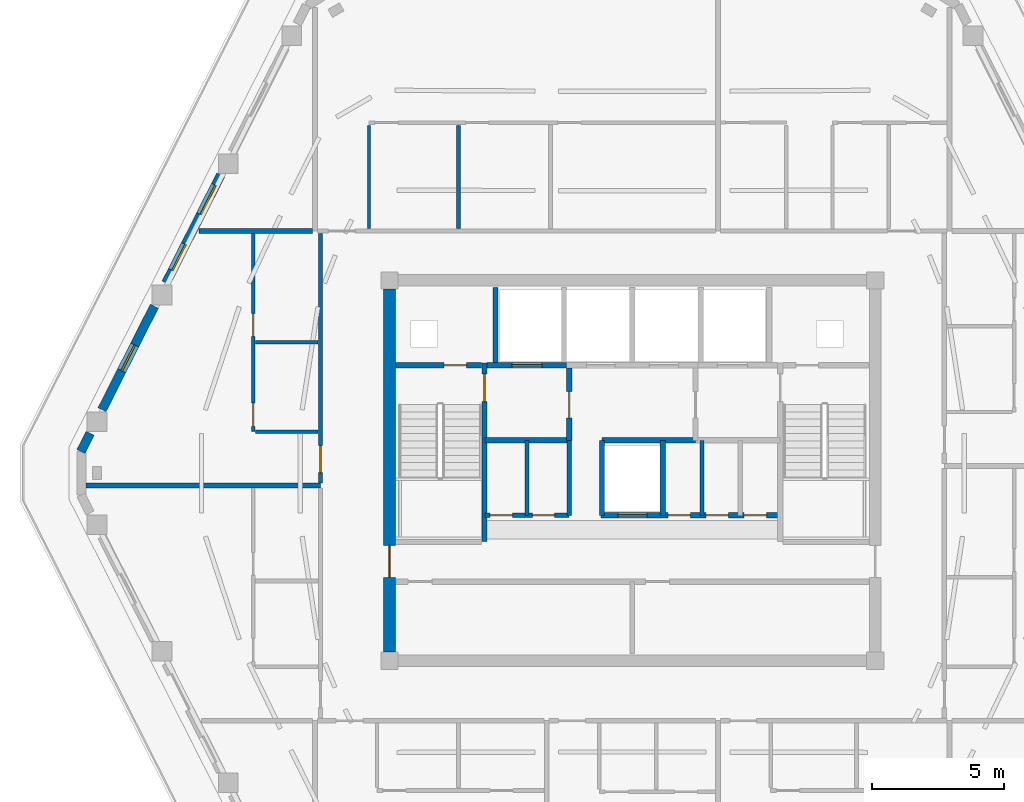
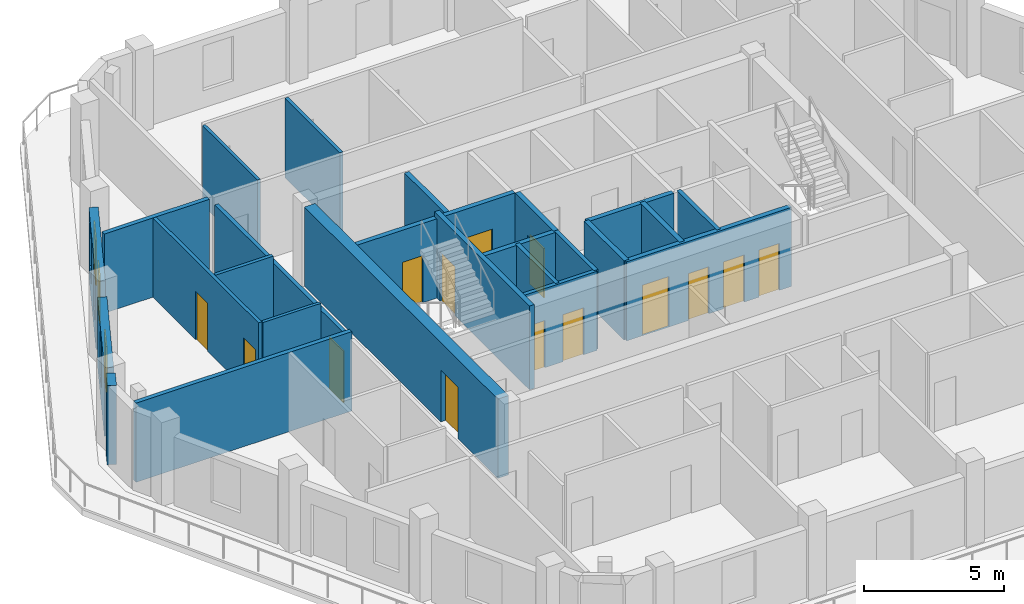
# One storey, part 4 of 10: 26 walls, 14 doors, 3 windows, 17 openings.
"""IFC4 building model written with IfcOpenShell, lengths in metres."""

from ifc_helpers import new_model, si_unit, direction, frame, frame_2d, origin, place, context, subcontext, project, spatial, rectangle, extrude, material, layer, layer_set, type_object, element, fill, save


model = new_model("IFC4")

# Units and contexts
model_context = context("Model", 3, precision=1e-05, world=origin(), true_north=direction((0.0, 1.0)))
body_context = subcontext(model_context, "Body", "Model", "MODEL_VIEW")
ifc_project = project(units=[si_unit("LENGTHUNIT", "METRE"), si_unit("AREAUNIT", "SQUARE_METRE"), si_unit("VOLUMEUNIT", "CUBIC_METRE"), si_unit("PLANEANGLEUNIT", "RADIAN"), si_unit("MASSUNIT", "GRAM", prefix="KILO")], contexts=[model_context])

# Site, building, storey
site_placement = place(None, origin())
site = spatial("IfcSite", under=ifc_project, at=site_placement, CompositionType="ELEMENT")
building_placement = place(site_placement, origin())
building = spatial("IfcBuilding", under=site, at=building_placement, Name="Cinnabar Lancet Tower", CompositionType="ELEMENT")
storey_placement = place(building_placement, frame((0.0, 0.0, 227.0)))
storey = spatial("IfcBuildingStorey", under=building, at=storey_placement, Name="L60", CompositionType="ELEMENT", Elevation=227.0)

# Wall, openings, doors
ifc_material_1 = material(Name="Acoustic twin-stud gypsum partition", Category="gypsum")
ifc_layer_1 = layer(ifc_material_1, 0.159912109375)
ifc_layer_set_1 = layer_set([ifc_layer_1], Name="Acoustic twin-stud gypsum partition")
wall_type_1 = type_object("IfcWallType", Name="ARC-WL-CORR-160", PredefinedType="PARTITIONING", material=ifc_layer_set_1)
wall_1_placement = place(storey_placement, frame((26.800048828125, 24.199951171875, 0.0), z_axis=(0.0, 0.0, 1.0), x_axis=(1.0, 0.0, 0.0)))
wall_1 = element("IfcWall", 1, at=wall_1_placement, inside=storey, type_object=wall_type_1, Name="CW-REC5S-L60", PredefinedType="PARTITIONING", context=body_context, shape_type="SweptSolid", body=[
    extrude(rectangle(XDim=3.199951171875, YDim=0.159912109375, at=frame_2d((1.60009765625, 0.0))), origin(), (0.0, 0.0, 1.0), 3.449951171875),
])
opening_1_placement = place(wall_1_placement, frame((0.199951171875, 0.0, 0.0)))
opening_1 = element("IfcOpeningElement", 2, at=opening_1_placement, cuts=wall_1, Name="Opening PD-02", PredefinedType="OPENING", context=body_context, shape_type="SweptSolid", body=[
    extrude(rectangle(XDim=0.85009765625, YDim=2.050048828125, at=frame_2d((0.425048828125, 1.02490234375))), frame((0.0, 0.08984375, 0.0), z_axis=(0.0, -1.0, 0.0), x_axis=(1.0, 0.0, 0.0)), (0.0, 0.0, 1.0), 0.179931640625),
])
opening_2_placement = place(wall_1_placement, frame((1.800048828125, 0.0, 0.0)))
opening_2 = element("IfcOpeningElement", 3, at=opening_2_placement, cuts=wall_1, Name="Opening PD-02", PredefinedType="OPENING", context=body_context, shape_type="SweptSolid", body=[
    extrude(rectangle(XDim=0.85009765625, YDim=2.050048828125, at=frame_2d((0.425048828125, 1.02490234375))), frame((0.0, 0.08984375, 0.0), z_axis=(0.0, -1.0, 0.0), x_axis=(1.0, 0.0, 0.0)), (0.0, 0.0, 1.0), 0.179931640625),
])
ifc_material_2 = material(Name="Fire-rated steel riser access door", Category="steel")
door_type_1 = type_object("IfcDoorType", Name="ARC-DR-RISER", OperationType="NOTDEFINED", PredefinedType="DOOR", material=ifc_material_2)
door_1_placement = place(opening_1_placement, origin())
door_1 = element("IfcDoor", 4, at=door_1_placement, inside=storey, type_object=door_type_1, Name="DR-L60-REC5A", OperationType="SINGLE_SWING_LEFT", OverallHeight=2.050048828125, OverallWidth=0.85009765625, PredefinedType="DOOR", context=body_context, shape_type="SweptSolid", body=[
    extrude(rectangle(XDim=0.85009765625, YDim=2.050048828125, at=frame_2d((0.425048828125, 1.02490234375))), frame((0.0, 0.02490234375, 0.0), z_axis=(0.0, -1.0, 0.0), x_axis=(1.0, 0.0, 0.0)), (0.0, 0.0, 1.0), 0.050048828125),
])
fill(opening_1, door_1)
door_2_placement = place(opening_2_placement, origin())
door_2 = element("IfcDoor", 5, at=door_2_placement, inside=storey, type_object=door_type_1, Name="DR-L60-REC5B", OperationType="SINGLE_SWING_RIGHT", OverallHeight=2.050048828125, OverallWidth=0.85009765625, PredefinedType="DOOR", context=body_context, shape_type="SweptSolid", body=[
    extrude(rectangle(XDim=0.85009765625, YDim=2.050048828125, at=frame_2d((0.425048828125, 1.02490234375))), frame((0.0, 0.02490234375, 0.0), z_axis=(0.0, -1.0, 0.0), x_axis=(1.0, 0.0, 0.0)), (0.0, 0.0, 1.0), 0.050048828125),
])
fill(opening_2, door_2)

# Walls
for number, where, z_axis, x_axis, name in (
    (6, (30.0, 24.199951171875, 0.0), (0.0, 0.0, 1.0), (0.0, 1.0, 0.0), "CW-REC5E-L60"),
    (7, (28.39990234375, 24.199951171875, 0.0), (0.0, 0.0, 1.0), (0.0, 1.0, 0.0), "CW-REC5D0-L60"),
    (8, (35.050048828125, 24.199951171875, 0.0), (0.0, 0.0, 1.0), (0.0, 1.0, 0.0), "CW-REC6D1-L60"),
):
    element("IfcWall", number, at=place(storey_placement, frame(where, z_axis=z_axis, x_axis=x_axis)), inside=storey, type_object=wall_type_1, Name=name, PredefinedType="PARTITIONING", context=body_context, shape_type="SweptSolid", body=[
        extrude(rectangle(XDim=2.85009765625, YDim=0.159912109375, at=frame_2d((1.425048828125, 0.0))), origin(), (0.0, 0.0, 1.0), 3.449951171875),
    ])

# Wall, opening, door
wall_2_placement = place(storey_placement, frame((20.550048828125, 25.423095703125, 0.0), z_axis=(0.0, 0.0, 1.0), x_axis=(0.0, 1.0, 0.0)))
wall_2 = element("IfcWall", 9, at=wall_2_placement, inside=storey, type_object=wall_type_1, Name="UW-L60-W02-COR", PredefinedType="PARTITIONING", context=body_context, shape_type="SweptSolid", body=[
    extrude(rectangle(XDim=9.48193359375, YDim=0.159912109375, at=frame_2d((4.740966796875, 0.0))), origin(), (0.0, 0.0, 1.0), 3.136962890625),
])
opening_3_placement = place(wall_2_placement, frame((0.39990234375, 0.0, 0.0)))
opening_3 = element("IfcOpeningElement", 10, at=opening_3_placement, cuts=wall_2, Name="Opening UD-01", PredefinedType="OPENING", context=body_context, shape_type="SweptSolid", body=[
    extrude(rectangle(XDim=1.02001953125, YDim=2.25, at=frame_2d((0.510009765625, 1.125))), frame((0.0, 0.08984375, 0.0), z_axis=(0.0, -1.0, 0.0), x_axis=(1.0, 0.0, 0.0)), (0.0, 0.0, 1.0), 0.179931640625),
])
ifc_material_3 = material(Name="Solid timber fire-rated apartment entrance door", Category="wood")
door_type_2 = type_object("IfcDoorType", Name="ARC-DR-UNIT", OperationType="NOTDEFINED", PredefinedType="DOOR", material=ifc_material_3)
door_3_placement = place(opening_3_placement, origin())
door_3 = element("IfcDoor", 11, at=door_3_placement, inside=storey, type_object=door_type_2, Name="DR-L60-W02-ENT", OperationType="SINGLE_SWING_LEFT", OverallHeight=2.25, OverallWidth=1.02001953125, PredefinedType="DOOR", context=body_context, shape_type="SweptSolid", body=[
    extrude(rectangle(XDim=1.02001953125, YDim=2.25, at=frame_2d((0.510009765625, 1.125))), frame((0.0, 0.02490234375, 0.0), z_axis=(0.0, -1.0, 0.0), x_axis=(1.0, 0.0, 0.0)), (0.0, 0.0, 1.0), 0.050048828125),
])
fill(opening_3, door_3)

# Walls
ifc_material_4 = material(Name="Fire-rated twin-frame acoustic drywall", Category="gypsum")
ifc_layer_2 = layer(ifc_material_4, 0.179931640625)
ifc_layer_set_2 = layer_set([ifc_layer_2], Name="Fire-rated twin-frame acoustic drywall")
wall_type_2 = type_object("IfcWallType", Name="ARC-WL-PARTY-180", PredefinedType="PARTITIONING", material=ifc_layer_set_2)
wall_3_placement = place(storey_placement, frame((15.93310546875, 35.0, 0.0), z_axis=(0.0, 0.0, 1.0), x_axis=(1.0, 0.0, 0.0)))
element("IfcWall", 12, at=wall_3_placement, inside=storey, type_object=wall_type_2, Name="PW-L60-WNB", PredefinedType="PARTITIONING", context=body_context, shape_type="SweptSolid", body=[
    extrude(rectangle(XDim=4.32177734375, YDim=0.179931640625, at=frame_2d((2.160888671875, 0.0))), origin(), (0.0, 0.0, 1.0), 3.449951171875),
])
wall_4_placement = place(storey_placement, frame((11.652099609375, 25.327880859375, 0.0), z_axis=(0.0, 0.0, 1.0), x_axis=(1.0, 0.0, 0.0)))
element("IfcWall", 13, at=wall_4_placement, inside=storey, type_object=wall_type_2, Name="PW-L60-WPTY-1", PredefinedType="PARTITIONING", context=body_context, shape_type="SweptSolid", body=[
    extrude(rectangle(XDim=8.89794921875, YDim=0.179931640625, at=frame_2d((4.448974609375, 0.0))), origin(), (0.0, 0.0, 1.0), 3.449951171875),
])

# Wall, opening, door
ifc_material_5 = material(Name="Autoclaved aerated concrete blockwork", Category="masonry")
ifc_layer_3 = layer(ifc_material_5, 0.199951171875)
ifc_layer_set_3 = layer_set([ifc_layer_3], Name="Autoclaved aerated concrete blockwork")
wall_type_3 = type_object("IfcWallType", Name="ARC-WL-SHAFT-200", PredefinedType="PLUMBINGWALL", material=ifc_layer_set_3)
wall_5_placement = place(storey_placement, frame((23.405029296875, 29.89990234375, 0.0), z_axis=(0.0, 0.0, 1.0), x_axis=(1.0, 0.0, 0.0)))
wall_5 = element("IfcWall", 14, at=wall_5_placement, inside=storey, type_object=wall_type_3, Name="CW-NSH-W-L60", PredefinedType="PLUMBINGWALL", context=body_context, shape_type="SweptSolid", body=[
    extrude(rectangle(XDim=3.27001953125, YDim=0.199951171875, at=frame_2d((1.635009765625, 0.0))), origin(), (0.0, 0.0, 1.0), 3.449951171875),
])
opening_4_placement = place(wall_5_placement, frame((1.85009765625, 0.0, 0.0)))
opening_4 = element("IfcOpeningElement", 15, at=opening_4_placement, cuts=wall_5, Name="Opening PD-02", PredefinedType="OPENING", context=body_context, shape_type="SweptSolid", body=[
    extrude(rectangle(XDim=0.85009765625, YDim=2.050048828125, at=frame_2d((0.425048828125, 1.02490234375))), frame((0.0, 0.10986328125, 0.0), z_axis=(0.0, -1.0, 0.0), x_axis=(1.0, 0.0, 0.0)), (0.0, 0.0, 1.0), 0.219970703125),
])
door_4_placement = place(opening_4_placement, origin())
door_4 = element("IfcDoor", 16, at=door_4_placement, inside=storey, type_object=door_type_1, Name="L60 West Riser Access Door", OperationType="SINGLE_SWING_LEFT", OverallHeight=2.050048828125, OverallWidth=0.85009765625, PredefinedType="DOOR", context=body_context, shape_type="SweptSolid", body=[
    extrude(rectangle(XDim=0.85009765625, YDim=2.050048828125, at=frame_2d((0.425048828125, 1.02490234375))), frame((0.0, 0.02490234375, 0.0), z_axis=(0.0, -1.0, 0.0), x_axis=(1.0, 0.0, 0.0)), (0.0, 0.0, 1.0), 0.050048828125),
])
fill(opening_4, door_4)

wall_6_placement = place(storey_placement, frame((26.885009765625, 29.89990234375, 0.0), z_axis=(0.0, 0.0, 1.0), x_axis=(1.0, 0.0, 0.0)))
wall_6 = element("IfcWall", 17, at=wall_6_placement, inside=storey, type_object=wall_type_3, Name="CW-FL1-L60", PredefinedType="PLUMBINGWALL", context=body_context, shape_type="SweptSolid", body=[
    extrude(rectangle(XDim=3.014892578125, YDim=0.199951171875, at=frame_2d((1.50732421875, 0.0))), origin(), (0.0, 0.0, 1.0), 3.449951171875),
])
opening_5_placement = place(wall_6_placement, frame((0.93994140625, 0.0, 0.0)))
opening_5 = element("IfcOpeningElement", 18, at=opening_5_placement, cuts=wall_6, Name="Opening LD-02", PredefinedType="OPENING", context=body_context, shape_type="SweptSolid", body=[
    extrude(rectangle(XDim=1.14990234375, YDim=2.199951171875, at=frame_2d((0.574951171875, 1.10009765625))), frame((0.0, 0.10986328125, 0.0), z_axis=(0.0, -1.0, 0.0), x_axis=(1.0, 0.0, 0.0)), (0.0, 0.0, 1.0), 0.219970703125),
])
ifc_material_6 = material(Name="Fire-rated stainless steel firefighting lift landing door", Category="steel")
door_type_3 = type_object("IfcDoorType", Name="ARC-DR-LD-FIRE", OperationType="NOTDEFINED", PredefinedType="DOOR", material=ifc_material_6)
door_5_placement = place(opening_5_placement, origin())
door_5 = element("IfcDoor", 19, at=door_5_placement, inside=storey, type_object=door_type_3, Name="L60 Firefighting Lift FL-1 Landing Door", OperationType="DOUBLE_DOOR_SLIDING", OverallHeight=2.199951171875, OverallWidth=1.14990234375, PredefinedType="DOOR", context=body_context, shape_type="SweptSolid", body=[
    extrude(rectangle(XDim=1.14990234375, YDim=2.199951171875, at=frame_2d((0.574951171875, 1.10009765625))), frame((0.0, 0.02490234375, 0.0), z_axis=(0.0, -1.0, 0.0), x_axis=(1.0, 0.0, 0.0)), (0.0, 0.0, 1.0), 0.050048828125),
])
fill(opening_5, door_5)

# Wall
wall_7_placement = place(storey_placement, frame((27.199951171875, 30.0, 0.0), z_axis=(0.0, 0.0, 1.0), x_axis=(0.0, 1.0, 0.0)))
element("IfcWall", 20, at=wall_7_placement, inside=storey, type_object=wall_type_3, Name="CW-NSH-D1-L60", PredefinedType="PLUMBINGWALL", context=body_context, shape_type="SweptSolid", body=[
    extrude(rectangle(XDim=2.85009765625, YDim=0.199951171875, at=frame_2d((1.425048828125, 0.0))), origin(), (0.0, 0.0, 1.0), 3.449951171875),
])

# Wall, opening, door
wall_8_placement = place(storey_placement, frame((30.0, 27.050048828125, 0.0), z_axis=(0.0, 0.0, 1.0), x_axis=(0.0, 1.0, 0.0)))
wall_8 = element("IfcWall", 21, at=wall_8_placement, inside=storey, type_object=wall_type_3, Name="CW-FF1E-L60", PredefinedType="PLUMBINGWALL", context=body_context, shape_type="SweptSolid", body=[
    extrude(rectangle(XDim=2.75, YDim=0.199951171875, at=frame_2d((1.375, 0.0))), origin(), (0.0, 0.0, 1.0), 3.449951171875),
])
opening_6_placement = place(wall_8_placement, frame((0.85009765625, 0.0, 0.0)))
opening_6 = element("IfcOpeningElement", 22, at=opening_6_placement, cuts=wall_8, Name="Opening FD-01", PredefinedType="OPENING", context=body_context, shape_type="SweptSolid", body=[
    extrude(rectangle(XDim=1.0, YDim=2.14990234375, at=frame_2d((0.5, 1.074951171875))), frame((0.0, 0.10986328125, 0.0), z_axis=(0.0, -1.0, 0.0), x_axis=(1.0, 0.0, 0.0)), (0.0, 0.0, 1.0), 0.219970703125),
])
ifc_material_7 = material(Name="Fire-rated timber-core lobby door", Category="wood")
door_type_4 = type_object("IfcDoorType", Name="ARC-DR-FFAL", OperationType="NOTDEFINED", PredefinedType="DOOR", material=ifc_material_7)
door_6_placement = place(opening_6_placement, origin())
door_6 = element("IfcDoor", 23, at=door_6_placement, inside=storey, type_object=door_type_4, Name="L60 FFAL-1 Lobby Fire Door", OperationType="SINGLE_SWING_RIGHT", OverallHeight=2.14990234375, OverallWidth=1.0, PredefinedType="DOOR", context=body_context, shape_type="SweptSolid", body=[
    extrude(rectangle(XDim=1.0, YDim=2.14990234375, at=frame_2d((0.5, 1.074951171875))), frame((0.0, 0.02490234375, 0.0), z_axis=(0.0, -1.0, 0.0), x_axis=(1.0, 0.0, 0.0)), (0.0, 0.0, 1.0), 0.050048828125),
])
fill(opening_6, door_6)

# Wall
wall_9_placement = place(storey_placement, frame((26.800048828125, 27.050048828125, 0.0), z_axis=(0.0, 0.0, 1.0), x_axis=(1.0, 0.0, 0.0)))
element("IfcWall", 24, at=wall_9_placement, inside=storey, type_object=wall_type_3, Name="CW-FF1S-L60", PredefinedType="PLUMBINGWALL", context=body_context, shape_type="SweptSolid", body=[
    extrude(rectangle(XDim=3.199951171875, YDim=0.199951171875, at=frame_2d((1.60009765625, 0.0))), origin(), (0.0, 0.0, 1.0), 3.449951171875),
])

# Wall, openings, doors
wall_10_placement = place(storey_placement, frame((31.199951171875, 24.199951171875, 0.0), z_axis=(0.0, 0.0, 1.0), x_axis=(1.0, 0.0, 0.0)))
wall_10 = element("IfcWall", 25, at=wall_10_placement, inside=storey, type_object=wall_type_3, Name="CW-PL96S-L60", PredefinedType="PLUMBINGWALL", context=body_context, shape_type="SweptSolid", body=[
    extrude(rectangle(XDim=6.800048828125, YDim=0.199951171875, at=frame_2d((3.39990234375, 0.0))), origin(), (0.0, 0.0, 1.0), 3.449951171875),
])
opening_7_placement = place(wall_10_placement, frame((0.64990234375, 0.0, 0.0)))
opening_7 = element("IfcOpeningElement", 26, at=opening_7_placement, cuts=wall_10, Name="Opening LD-01", PredefinedType="OPENING", context=body_context, shape_type="SweptSolid", body=[
    extrude(rectangle(XDim=1.10009765625, YDim=2.199951171875, at=frame_2d((0.550048828125, 1.10009765625))), frame((0.0, 0.10986328125, 0.0), z_axis=(0.0, -1.0, 0.0), x_axis=(1.0, 0.0, 0.0)), (0.0, 0.0, 1.0), 0.219970703125),
])
opening_8_placement = place(wall_10_placement, frame((2.550048828125, 0.0, 0.0)))
opening_8 = element("IfcOpeningElement", 27, at=opening_8_placement, cuts=wall_10, Name="Opening PD-02", PredefinedType="OPENING", context=body_context, shape_type="SweptSolid", body=[
    extrude(rectangle(XDim=0.85009765625, YDim=2.050048828125, at=frame_2d((0.425048828125, 1.02490234375))), frame((0.0, 0.10986328125, 0.0), z_axis=(0.0, -1.0, 0.0), x_axis=(1.0, 0.0, 0.0)), (0.0, 0.0, 1.0), 0.219970703125),
])
opening_9_placement = place(wall_10_placement, frame((4.0, 0.0, 0.0)))
opening_9 = element("IfcOpeningElement", 28, at=opening_9_placement, cuts=wall_10, Name="Opening PD-02", PredefinedType="OPENING", context=body_context, shape_type="SweptSolid", body=[
    extrude(rectangle(XDim=0.85009765625, YDim=2.050048828125, at=frame_2d((0.425048828125, 1.02490234375))), frame((0.0, 0.10986328125, 0.0), z_axis=(0.0, -1.0, 0.0), x_axis=(1.0, 0.0, 0.0)), (0.0, 0.0, 1.0), 0.219970703125),
])
opening_10_placement = place(wall_10_placement, frame((5.449951171875, 0.0, 0.0)))
opening_10 = element("IfcOpeningElement", 29, at=opening_10_placement, cuts=wall_10, Name="Opening PD-02", PredefinedType="OPENING", context=body_context, shape_type="SweptSolid", body=[
    extrude(rectangle(XDim=0.85009765625, YDim=2.050048828125, at=frame_2d((0.425048828125, 1.02490234375))), frame((0.0, 0.10986328125, 0.0), z_axis=(0.0, -1.0, 0.0), x_axis=(1.0, 0.0, 0.0)), (0.0, 0.0, 1.0), 0.219970703125),
])
ifc_material_8 = material(Name="Brushed stainless steel sliding lift door", Category="steel")
door_type_5 = type_object("IfcDoorType", Name="ARC-DR-LD-PASS", OperationType="NOTDEFINED", PredefinedType="DOOR", material=ifc_material_8)
door_7_placement = place(opening_7_placement, origin())
door_7 = element("IfcDoor", 30, at=door_7_placement, inside=storey, type_object=door_type_5, Name="L60 Lift PL-9 Landing Door", OperationType="DOUBLE_DOOR_SLIDING", OverallHeight=2.199951171875, OverallWidth=1.10009765625, PredefinedType="DOOR", context=body_context, shape_type="SweptSolid", body=[
    extrude(rectangle(XDim=1.10009765625, YDim=2.199951171875, at=frame_2d((0.550048828125, 1.10009765625))), frame((0.0, 0.02490234375, 0.0), z_axis=(0.0, -1.0, 0.0), x_axis=(1.0, 0.0, 0.0)), (0.0, 0.0, 1.0), 0.050048828125),
])
fill(opening_7, door_7)
door_8_placement = place(opening_8_placement, origin())
door_8 = element("IfcDoor", 31, at=door_8_placement, inside=storey, type_object=door_type_1, Name="DR-L60-REC6A", OperationType="SINGLE_SWING_LEFT", OverallHeight=2.050048828125, OverallWidth=0.85009765625, PredefinedType="DOOR", context=body_context, shape_type="SweptSolid", body=[
    extrude(rectangle(XDim=0.85009765625, YDim=2.050048828125, at=frame_2d((0.425048828125, 1.02490234375))), frame((0.0, 0.02490234375, 0.0), z_axis=(0.0, -1.0, 0.0), x_axis=(1.0, 0.0, 0.0)), (0.0, 0.0, 1.0), 0.050048828125),
])
fill(opening_8, door_8)
door_9_placement = place(opening_9_placement, origin())
door_9 = element("IfcDoor", 32, at=door_9_placement, inside=storey, type_object=door_type_1, Name="DR-L60-REC6B", OperationType="SINGLE_SWING_RIGHT", OverallHeight=2.050048828125, OverallWidth=0.85009765625, PredefinedType="DOOR", context=body_context, shape_type="SweptSolid", body=[
    extrude(rectangle(XDim=0.85009765625, YDim=2.050048828125, at=frame_2d((0.425048828125, 1.02490234375))), frame((0.0, 0.02490234375, 0.0), z_axis=(0.0, -1.0, 0.0), x_axis=(1.0, 0.0, 0.0)), (0.0, 0.0, 1.0), 0.050048828125),
])
fill(opening_9, door_9)
door_10_placement = place(opening_10_placement, origin())
door_10 = element("IfcDoor", 33, at=door_10_placement, inside=storey, type_object=door_type_1, Name="DR-L60-REC6C", OperationType="SINGLE_SWING_LEFT", OverallHeight=2.050048828125, OverallWidth=0.85009765625, PredefinedType="DOOR", context=body_context, shape_type="SweptSolid", body=[
    extrude(rectangle(XDim=0.85009765625, YDim=2.050048828125, at=frame_2d((0.425048828125, 1.02490234375))), frame((0.0, 0.02490234375, 0.0), z_axis=(0.0, -1.0, 0.0), x_axis=(1.0, 0.0, 0.0)), (0.0, 0.0, 1.0), 0.050048828125),
])
fill(opening_10, door_10)

# Walls
for number, where, z_axis, x_axis, name in (
    (34, (31.25, 24.199951171875, 0.0), (0.0, 0.0, 1.0), (0.0, 1.0, 0.0), "CW-PL9W-L60"),
    (35, (33.550048828125, 24.199951171875, 0.0), (0.0, 0.0, 1.0), (0.0, 1.0, 0.0), "CW-PL9E-L60"),
):
    element("IfcWall", number, at=place(storey_placement, frame(where, z_axis=z_axis, x_axis=x_axis)), inside=storey, type_object=wall_type_3, Name=name, PredefinedType="PLUMBINGWALL", context=body_context, shape_type="SweptSolid", body=[
        extrude(rectangle(XDim=2.85009765625, YDim=0.199951171875, at=frame_2d((1.425048828125, 0.0))), origin(), (0.0, 0.0, 1.0), 3.449951171875),
    ])
wall_11_placement = place(storey_placement, frame((31.25, 27.050048828125, 0.0), z_axis=(0.0, 0.0, 1.0), x_axis=(1.0, 0.0, 0.0)))
element("IfcWall", 36, at=wall_11_placement, inside=storey, type_object=wall_type_3, Name="CW-PL96N-L60", PredefinedType="PLUMBINGWALL", context=body_context, shape_type="SweptSolid", body=[
    extrude(rectangle(XDim=3.550048828125, YDim=0.199951171875, at=frame_2d((1.77490234375, 0.0))), origin(), (0.0, 0.0, 1.0), 3.449951171875),
])
ifc_material_9 = material(Name="Gypsum plasterboard stud partition", Category="gypsum")
ifc_layer_4 = layer(ifc_material_9, 0.125)
ifc_layer_set_4 = layer_set([ifc_layer_4], Name="Gypsum plasterboard stud partition")
wall_type_4 = type_object("IfcWallType", Name="ARC-WL-UNIT-125", PredefinedType="PARTITIONING", material=ifc_layer_set_4)
wall_12_placement = place(storey_placement, frame((22.39990234375, 35.0849609375, 0.0), z_axis=(0.0, 0.0, 1.0), x_axis=(0.0, 1.0, 0.0)))
element("IfcWall", 37, at=wall_12_placement, inside=storey, type_object=wall_type_4, Name="UW-L60-N01-FOYE", PredefinedType="PARTITIONING", context=body_context, shape_type="SweptSolid", body=[
    extrude(rectangle(XDim=3.925048828125, YDim=0.125, at=frame_2d((1.96240234375, 0.0))), origin(), (0.0, 0.0, 1.0), 3.449951171875),
])
wall_13_placement = place(storey_placement, frame((18.0849609375, 27.3779296875, 0.0), z_axis=(0.0, 0.0, 1.0), x_axis=(1.0, 0.0, 0.0)))
element("IfcWall", 38, at=wall_13_placement, inside=storey, type_object=wall_type_4, Name="UW-L60-W02-FOYN", PredefinedType="PARTITIONING", context=body_context, shape_type="SweptSolid", body=[
    extrude(rectangle(XDim=2.380126953125, YDim=0.125, at=frame_2d((1.18994140625, 0.0))), origin(), (0.0, 0.0, 1.0), 3.449951171875),
])
ifc_material_10 = material(Name="Moisture-resistant cement-board plumbing wall", Category="masonry")
ifc_layer_5 = layer(ifc_material_10, 0.139892578125)
ifc_layer_set_5 = layer_set([ifc_layer_5], Name="Moisture-resistant cement-board plumbing wall")
wall_type_5 = type_object("IfcWallType", Name="ARC-WL-WET-140", PredefinedType="PLUMBINGWALL", material=ifc_layer_set_5)
wall_14_placement = place(storey_placement, frame((25.800048828125, 35.0849609375, 0.0), z_axis=(0.0, 0.0, 1.0), x_axis=(0.0, 1.0, 0.0)))
element("IfcWall", 39, at=wall_14_placement, inside=storey, type_object=wall_type_5, Name="UW-L60-N01-KDV", PredefinedType="PLUMBINGWALL", context=body_context, shape_type="SweptSolid", body=[
    extrude(rectangle(XDim=3.925048828125, YDim=0.139892578125, at=frame_2d((1.96240234375, 0.0))), origin(), (0.0, 0.0, 1.0), 3.449951171875),
])

# Wall, openings, doors
wall_15_placement = place(storey_placement, frame((18.0, 27.3779296875, 0.0), z_axis=(0.0, 0.0, 1.0), x_axis=(0.0, 1.0, 0.0)))
wall_15 = element("IfcWall", 40, at=wall_15_placement, inside=storey, type_object=wall_type_5, Name="UW-L60-W02-SPL", PredefinedType="PLUMBINGWALL", context=body_context, shape_type="SweptSolid", body=[
    extrude(rectangle(XDim=7.527099609375, YDim=0.139892578125, at=frame_2d((3.763671875, 0.0))), origin(), (0.0, 0.0, 1.0), 3.449951171875),
])
opening_11_placement = place(wall_15_placement, frame((3.6201171875, 0.0, 0.0)))
opening_11 = element("IfcOpeningElement", 41, at=opening_11_placement, cuts=wall_15, Name="Opening BD-01", PredefinedType="OPENING", context=body_context, shape_type="SweptSolid", body=[
    extrude(rectangle(XDim=0.860107421875, YDim=2.10009765625, at=frame_2d((0.43017578125, 1.050048828125))), frame((0.0, 0.079833984375, 0.0), z_axis=(0.0, -1.0, 0.0), x_axis=(1.0, 0.0, 0.0)), (0.0, 0.0, 1.0), 0.159912109375),
])
opening_12_placement = place(wall_15_placement, frame((0.199951171875, 0.0, 0.0)))
opening_12 = element("IfcOpeningElement", 42, at=opening_12_placement, cuts=wall_15, Name="Opening RD-02", PredefinedType="OPENING", context=body_context, shape_type="SweptSolid", body=[
    extrude(rectangle(XDim=0.8798828125, YDim=2.14990234375, at=frame_2d((0.43994140625, 1.074951171875))), frame((0.0, 0.079833984375, 0.0), z_axis=(0.0, -1.0, 0.0), x_axis=(1.0, 0.0, 0.0)), (0.0, 0.0, 1.0), 0.159912109375),
])
ifc_material_11 = material(Name="Moisture-resistant timber bathroom door", Category="wood")
door_type_6 = type_object("IfcDoorType", Name="ARC-DR-BATH", OperationType="NOTDEFINED", PredefinedType="DOOR", material=ifc_material_11)
door_11_placement = place(opening_11_placement, origin())
door_11 = element("IfcDoor", 43, at=door_11_placement, inside=storey, type_object=door_type_6, Name="DR-L60-W02-BTH", OperationType="SINGLE_SWING_LEFT", OverallHeight=2.10009765625, OverallWidth=0.860107421875, PredefinedType="DOOR", context=body_context, shape_type="SweptSolid", body=[
    extrude(rectangle(XDim=0.860107421875, YDim=2.10009765625, at=frame_2d((0.43017578125, 1.050048828125))), frame((0.0, 0.02490234375, 0.0), z_axis=(0.0, -1.0, 0.0), x_axis=(1.0, 0.0, 0.0)), (0.0, 0.0, 1.0), 0.050048828125),
])
fill(opening_11, door_11)
ifc_material_12 = material(Name="Engineered timber study door", Category="wood")
door_type_7 = type_object("IfcDoorType", Name="ARC-DR-STUDY", OperationType="NOTDEFINED", PredefinedType="DOOR", material=ifc_material_12)
door_12_placement = place(opening_12_placement, origin())
door_12 = element("IfcDoor", 44, at=door_12_placement, inside=storey, type_object=door_type_7, Name="DR-L60-W02-KIT", OperationType="SINGLE_SWING_RIGHT", OverallHeight=2.14990234375, OverallWidth=0.8798828125, PredefinedType="DOOR", context=body_context, shape_type="SweptSolid", body=[
    extrude(rectangle(XDim=0.8798828125, YDim=2.14990234375, at=frame_2d((0.43994140625, 1.074951171875))), frame((0.0, 0.02490234375, 0.0), z_axis=(0.0, -1.0, 0.0), x_axis=(1.0, 0.0, 0.0)), (0.0, 0.0, 1.0), 0.050048828125),
])
fill(opening_12, door_12)

# Wall
wall_16_placement = place(storey_placement, frame((18.0849609375, 30.778076171875, 0.0), z_axis=(0.0, 0.0, 1.0), x_axis=(1.0, 0.0, 0.0)))
element("IfcWall", 45, at=wall_16_placement, inside=storey, type_object=wall_type_5, Name="UW-L60-W02-KDV", PredefinedType="PLUMBINGWALL", context=body_context, shape_type="SweptSolid", body=[
    extrude(rectangle(XDim=2.380126953125, YDim=0.139892578125, at=frame_2d((1.18994140625, 0.0))), origin(), (0.0, 0.0, 1.0), 3.449951171875),
])

# Wall, openings, windows
ifc_material_13 = material(Name="Cinnabar red clay brick", Category="masonry")
ifc_layer_6 = layer(ifc_material_13, 0.340087890625)
ifc_layer_set_6 = layer_set([ifc_layer_6], Name="Cinnabar red clay brick")
wall_type_6 = type_object("IfcWallType", Name="ENV-WL-BRK-RED-340", PredefinedType="STANDARD", material=ifc_layer_set_6)
wall_17_placement = place(storey_placement, frame((16.76806640625, 37.126953125, 0.0), z_axis=(0.0, 0.0, 1.0), x_axis=(-0.451581819983, -0.892229712496, 0.0)))
wall_17 = element("IfcWall", 46, at=wall_17_placement, inside=storey, type_object=wall_type_6, Name="L60 Face 5 Masonry Bay Wall 3", PredefinedType="STANDARD", context=body_context, shape_type="SweptSolid", body=[
    extrude(rectangle(XDim=4.599609375, YDim=0.340087890625, at=frame_2d((2.2998046875, 0.0))), origin(), (0.0, 0.0, 1.0), 2.98291015625),
])
opening_13_placement = place(wall_17_placement, frame((0.43701171875, 0.0, 0.75)))
opening_13 = element("IfcOpeningElement", 47, at=opening_13_placement, cuts=wall_17, Name="Opening WN-03", PredefinedType="OPENING", context=body_context, shape_type="SweptSolid", body=[
    extrude(rectangle(XDim=1.25, YDim=1.949951171875, at=frame_2d((0.625, 0.97509765625))), frame((0.0, 0.179931640625, 0.0), z_axis=(0.0, -1.0, 0.0), x_axis=(1.0, 0.0, 0.0)), (0.0, 0.0, 1.0), 0.360107421875),
])
opening_14_placement = place(wall_17_placement, frame((2.962890625, 0.0, 0.75)))
opening_14 = element("IfcOpeningElement", 48, at=opening_14_placement, cuts=wall_17, Name="Opening WN-04", PredefinedType="OPENING", context=body_context, shape_type="SweptSolid", body=[
    extrude(rectangle(XDim=1.10009765625, YDim=2.0, at=frame_2d((0.550048828125, 1.0))), frame((0.0, 0.179931640625, 0.0), z_axis=(0.0, -1.0, 0.0), x_axis=(1.0, 0.0, 0.0)), (0.0, 0.0, 1.0), 0.360107421875),
])
ifc_material_14 = material(Name="Thermally broken bronze-anodized aluminium tall lancet window", Category="aluminium")
window_type_1 = type_object("IfcWindowType", Name="ENV-WN-LANCET-1100", PartitioningType="SINGLE_PANEL", PredefinedType="WINDOW", material=ifc_material_14)
window_1_placement = place(opening_14_placement, origin())
window_1 = element("IfcWindow", 49, at=window_1_placement, inside=storey, type_object=window_type_1, Name="L60 Split-Bay Gothic Lancet Window 209", OverallHeight=2.0, OverallWidth=1.10009765625, PartitioningType="SINGLE_PANEL", PredefinedType="WINDOW", context=body_context, shape_type="SweptSolid", body=[
    extrude(rectangle(XDim=1.10009765625, YDim=2.0, at=frame_2d((0.550048828125, 1.0))), frame((0.0, 0.030029296875, 0.0), z_axis=(0.0, -1.0, 0.0), x_axis=(1.0, 0.0, 0.0)), (0.0, 0.0, 1.0), 0.06005859375),
])
fill(opening_14, window_1)
ifc_material_15 = material(Name="Thermally broken bronze-anodized aluminium low-E double glazing", Category="aluminium")
window_type_2 = type_object("IfcWindowType", Name="ENV-WN-LANCET-1250", PartitioningType="SINGLE_PANEL", PredefinedType="WINDOW", material=ifc_material_15)
window_2_placement = place(opening_13_placement, origin())
window_2 = element("IfcWindow", 50, at=window_2_placement, inside=storey, type_object=window_type_2, Name="L60 Face 5 Gothic Lancet Window 3", OverallHeight=1.949951171875, OverallWidth=1.25, PartitioningType="SINGLE_PANEL", PredefinedType="WINDOW", context=body_context, shape_type="SweptSolid", body=[
    extrude(rectangle(XDim=1.25, YDim=1.949951171875, at=frame_2d((0.625, 0.97509765625))), frame((0.0, 0.030029296875, 0.0), z_axis=(0.0, -1.0, 0.0), x_axis=(1.0, 0.0, 0.0)), (0.0, 0.0, 1.0), 0.06005859375),
])
fill(opening_13, window_2)

# Wall, opening, window
wall_18_placement = place(storey_placement, frame((14.24609375, 32.14404296875, 0.0), z_axis=(0.0, 0.0, 1.0), x_axis=(-0.451285866323, -0.892379441077, 0.0)))
wall_18 = element("IfcWall", 51, at=wall_18_placement, inside=storey, type_object=wall_type_6, Name="L60 Face 5 Masonry Bay Wall 4", PredefinedType="STANDARD", context=body_context, shape_type="SweptSolid", body=[
    extrude(rectangle(XDim=4.407470703125, YDim=0.340087890625, at=frame_2d((2.20361328125, 0.0))), origin(), (0.0, 0.0, 1.0), 2.98291015625),
])
opening_15_placement = place(wall_18_placement, frame((1.654052734375, 0.0, 0.75)))
opening_15 = element("IfcOpeningElement", 52, at=opening_15_placement, cuts=wall_18, Name="Opening WN-04", PredefinedType="OPENING", context=body_context, shape_type="SweptSolid", body=[
    extrude(rectangle(XDim=1.10009765625, YDim=2.0, at=frame_2d((0.550048828125, 1.0))), frame((0.0, 0.179931640625, 0.0), z_axis=(0.0, -1.0, 0.0), x_axis=(1.0, 0.0, 0.0)), (0.0, 0.0, 1.0), 0.360107421875),
])
window_3_placement = place(opening_15_placement, origin())
window_3 = element("IfcWindow", 53, at=window_3_placement, inside=storey, type_object=window_type_1, Name="L60 Face 5 Gothic Lancet Window 4", OverallHeight=2.0, OverallWidth=1.10009765625, PartitioningType="SINGLE_PANEL", PredefinedType="WINDOW", context=body_context, shape_type="SweptSolid", body=[
    extrude(rectangle(XDim=1.10009765625, YDim=2.0, at=frame_2d((0.550048828125, 1.0))), frame((0.0, 0.030029296875, 0.0), z_axis=(0.0, -1.0, 0.0), x_axis=(1.0, 0.0, 0.0)), (0.0, 0.0, 1.0), 0.06005859375),
])
fill(opening_15, window_3)

# Wall
wall_19_placement = place(storey_placement, frame((11.803955078125, 27.31591796875, 0.0), z_axis=(0.0, 0.0, 1.0), x_axis=(-0.45075284655, -0.892648795063, 0.0)))
element("IfcWall", 54, at=wall_19_placement, inside=storey, type_object=wall_type_6, Name="L60 Face 5 Masonry Bay Wall 5", PredefinedType="STANDARD", context=body_context, shape_type="SweptSolid", body=[
    extrude(rectangle(XDim=0.771728515625, YDim=0.340087890625, at=frame_2d((0.3857421875, 0.0))), origin(), (0.0, 0.0, 1.0), 3.449951171875),
])

# Wall, opening, door
ifc_material_16 = material(Name="Concrete C50/60", Category="concrete")
ifc_layer_7 = layer(ifc_material_16, 0.449951171875)
ifc_layer_set_7 = layer_set([ifc_layer_7], Name="Concrete C50/60")
wall_type_7 = type_object("IfcWallType", Name="STR-WL-CORE-450", PredefinedType="SHEAR", material=ifc_layer_set_7)
wall_20_placement = place(storey_placement, frame((23.175048828125, 19.0, 0.0), z_axis=(0.0, 0.0, 1.0), x_axis=(0.0, 1.0, 0.0)))
wall_20 = element("IfcWall", 55, at=wall_20_placement, inside=storey, type_object=wall_type_7, Name="L60 Core Shear Wall W", PredefinedType="SHEAR", context=body_context, shape_type="SweptSolid", body=[
    extrude(rectangle(XDim=13.800048828125, YDim=0.449951171875, at=frame_2d((6.89990234375, 0.0))), origin(), (0.0, 0.0, 1.0), 3.449951171875),
])
opening_16_placement = place(wall_20_placement, frame((2.840087890625, 0.0, 0.0)))
opening_16 = element("IfcOpeningElement", 56, at=opening_16_placement, cuts=wall_20, Name="Opening FD-02", PredefinedType="OPENING", context=body_context, shape_type="SweptSolid", body=[
    extrude(rectangle(XDim=1.219970703125, YDim=2.25, at=frame_2d((0.60986328125, 1.125))), frame((0.0, 0.23486328125, 0.0), z_axis=(0.0, -1.0, 0.0), x_axis=(1.0, 0.0, 0.0)), (0.0, 0.0, 1.0), 0.469970703125),
])
ifc_material_17 = material(Name="Fire-rated double-vision core portal door", Category="wood")
door_type_8 = type_object("IfcDoorType", Name="ARC-DR-CPORT", OperationType="NOTDEFINED", PredefinedType="DOOR", material=ifc_material_17)
door_13_placement = place(opening_16_placement, origin())
door_13 = element("IfcDoor", 57, at=door_13_placement, inside=storey, type_object=door_type_8, Name="L60 West Core Lobby Fire Door", OperationType="SINGLE_SWING_RIGHT", OverallHeight=2.25, OverallWidth=1.219970703125, PredefinedType="DOOR", context=body_context, shape_type="SweptSolid", body=[
    extrude(rectangle(XDim=1.219970703125, YDim=2.25, at=frame_2d((0.60986328125, 1.125))), frame((0.0, 0.02490234375, 0.0), z_axis=(0.0, -1.0, 0.0), x_axis=(1.0, 0.0, 0.0)), (0.0, 0.0, 1.0), 0.050048828125),
])
fill(opening_16, door_13)

ifc_material_18 = material(Name="Concrete C50/60", Category="concrete")
ifc_layer_8 = layer(ifc_material_18, 0.199951171875)
ifc_layer_set_8 = layer_set([ifc_layer_8], Name="Concrete C50/60")
wall_type_8 = type_object("IfcWallType", Name="STR-WL-STAIR-200", PredefinedType="SHEAR", material=ifc_layer_set_8)
wall_21_placement = place(storey_placement, frame((26.780029296875, 23.199951171875, 0.0), z_axis=(0.0, 0.0, 1.0), x_axis=(0.0, 1.0, 0.0)))
wall_21 = element("IfcWall", 58, at=wall_21_placement, inside=storey, type_object=wall_type_8, Name="L60 Stair ST-1 Structural Enclosure Wall", PredefinedType="SHEAR", context=body_context, shape_type="SweptSolid", body=[
    extrude(rectangle(XDim=6.780029296875, YDim=0.199951171875, at=frame_2d((3.39013671875, 0.0))), origin(), (0.0, 0.0, 1.0), 3.64990234375),
])
opening_17_placement = place(wall_21_placement, frame((5.320068359375, 0.0, 0.0)))
opening_17 = element("IfcOpeningElement", 59, at=opening_17_placement, cuts=wall_21, Name="Opening SD-01", PredefinedType="OPENING", context=body_context, shape_type="SweptSolid", body=[
    extrude(rectangle(XDim=1.050048828125, YDim=2.14990234375, at=frame_2d((0.52490234375, 1.074951171875))), frame((0.0, 0.10986328125, 0.0), z_axis=(0.0, -1.0, 0.0), x_axis=(1.0, 0.0, 0.0)), (0.0, 0.0, 1.0), 0.219970703125),
])
ifc_material_19 = material(Name="Fire-rated steel stair exit door", Category="steel")
door_type_9 = type_object("IfcDoorType", Name="ARC-DR-STAIR", OperationType="NOTDEFINED", PredefinedType="DOOR", material=ifc_material_19)
door_14_placement = place(opening_17_placement, origin())
door_14 = element("IfcDoor", 60, at=door_14_placement, inside=storey, type_object=door_type_9, Name="L60 Stair ST-1 Fire Door", OperationType="SINGLE_SWING_LEFT", OverallHeight=2.14990234375, OverallWidth=1.050048828125, PredefinedType="DOOR", context=body_context, shape_type="SweptSolid", body=[
    extrude(rectangle(XDim=1.050048828125, YDim=2.14990234375, at=frame_2d((0.52490234375, 1.074951171875))), frame((0.0, 0.02490234375, 0.0), z_axis=(0.0, -1.0, 0.0), x_axis=(1.0, 0.0, 0.0)), (0.0, 0.0, 1.0), 0.050048828125),
])
fill(opening_17, door_14)

save(model, "model.ifc")
